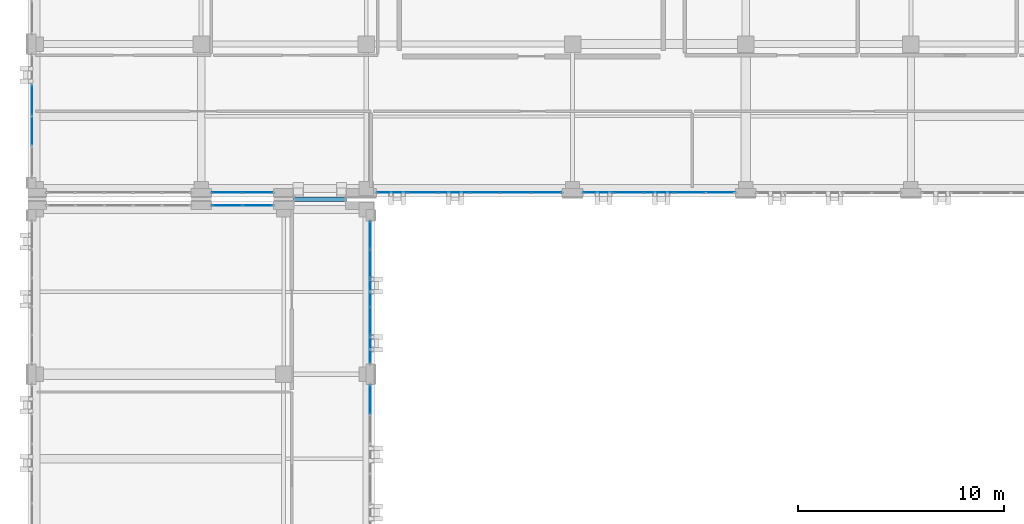
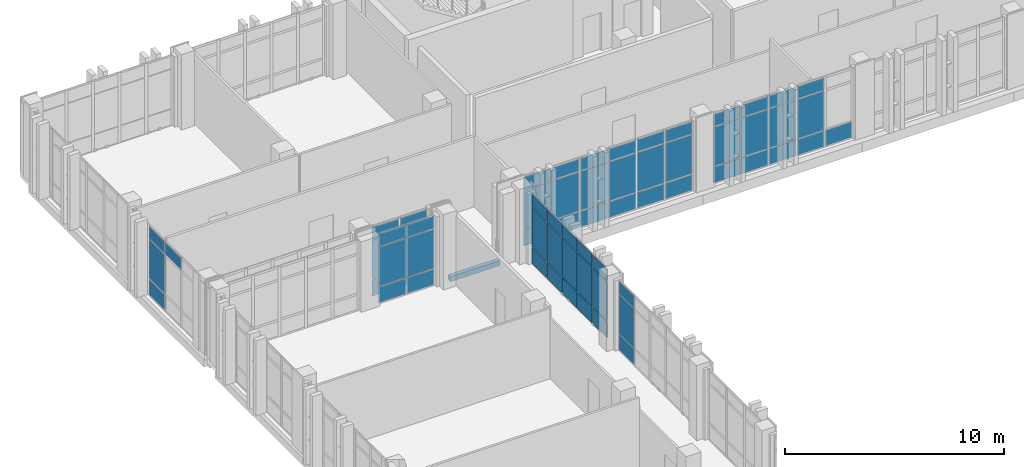
# One storey, part 122 of 158: 65 plates, 1 slab, 7 elements without a shape of their own.
"""IFC4 building model written with IfcOpenShell, lengths in metres."""

from ifc_helpers import new_model, si_unit, direction, frame, origin, origin_2d, place, context, subcontext, project, spatial, polyline, rectangle, outline, extrude, material, layer, layer_set, type_object, element, aggregate, save


model = new_model("IFC4")

# Units and contexts
model_context = context("Model", 3, precision=1e-05, world=origin(), true_north=direction((0.0, 1.0)))
body_context = subcontext(model_context, "Body", "Model", "MODEL_VIEW")
ifc_project = project(units=[si_unit("LENGTHUNIT", "METRE"), si_unit("AREAUNIT", "SQUARE_METRE"), si_unit("VOLUMEUNIT", "CUBIC_METRE"), si_unit("PLANEANGLEUNIT", "RADIAN"), si_unit("MASSUNIT", "GRAM", prefix="KILO")], contexts=[model_context])

# Site, building, storey
site_placement = place(None, origin())
site = spatial("IfcSite", under=ifc_project, at=site_placement, CompositionType="ELEMENT")
building_placement = place(site_placement, origin())
building = spatial("IfcBuilding", under=site, at=building_placement, Name="Qalavern Law Courts", CompositionType="ELEMENT")
storey_placement = place(building_placement, frame((0.0, 0.0, 18.60009765625)))
storey = spatial("IfcBuildingStorey", under=building, at=storey_placement, Name="L04", CompositionType="ELEMENT", Elevation=18.60009765625)

# Curtain wall, plates
ifc_material_1 = material(Name="Anodised aluminium and insulated glazing", Category="aluminium")
ifc_layer_1 = layer(ifc_material_1, 0.159912109375)
ifc_layer_set_1 = layer_set([ifc_layer_1], Name="Anodised aluminium and insulated glazing")
curtain_wall_type_1 = type_object("IfcCurtainWallType", Name="ENV-CW-CHAMB", PredefinedType="USERDEFINED", material=ifc_layer_set_1)
curtain_wall_1_placement = place(storey_placement, origin())
curtain_wall_1 = element("IfcCurtainWall", 1, at=curtain_wall_1_placement, inside=storey, type_object=curtain_wall_type_1, Name="V3 unitised curtain wall L04 north 1", ObjectType="UNITISED CURTAIN WALL", PredefinedType="USERDEFINED")
ifc_material_2 = material(Name="Insulated low-E acoustic glazing", Category="glass")
ifc_layer_2 = layer(ifc_material_2, 0.028076171875)
ifc_layer_set_2 = layer_set([ifc_layer_2], Name="Insulated low-E acoustic glazing")
plate_type_1 = type_object("IfcPlateType", Name="ENV-CWP-28", PredefinedType="CURTAIN_PANEL", material=ifc_layer_set_2)
plate_1_placement = place(storey_placement, frame((13.137939453125, 95.780029296875, 0.0478515625), z_axis=(0.0, 0.0, 1.0), x_axis=(-1.0, 0.0, 0.0)))
plate_1 = element("IfcPlate", 2, at=plate_1_placement, type_object=plate_type_1, Name="CW-04 panel 1.1", PredefinedType="CURTAIN_PANEL", context=body_context, shape_type="SweptSolid", body=[
    extrude(rectangle(XDim=1.427978515625, YDim=0.028076171875, at=origin_2d()), origin(), (0.0, 0.0, 1.0), 0.8779296875),
])
plate_2_placement = place(storey_placement, frame((13.137939453125, 95.780029296875, 0.97412109375), z_axis=(0.0, 0.0, 1.0), x_axis=(-1.0, 0.0, 0.0)))
plate_2 = element("IfcPlate", 3, at=plate_2_placement, type_object=plate_type_1, Name="CW-04 panel 1.2", PredefinedType="CURTAIN_PANEL", context=body_context, shape_type="SweptSolid", body=[
    extrude(rectangle(XDim=1.427978515625, YDim=0.028076171875, at=origin_2d()), origin(), (0.0, 0.0, 1.0), 2.177001953125),
])
plate_3_placement = place(storey_placement, frame((13.137939453125, 95.780029296875, 3.19873046875), z_axis=(0.0, 0.0, 1.0), x_axis=(-1.0, 0.0, 0.0)))
plate_3 = element("IfcPlate", 4, at=plate_3_placement, type_object=plate_type_1, Name="CW-04 panel 1.3", PredefinedType="CURTAIN_PANEL", context=body_context, shape_type="SweptSolid", body=[
    extrude(rectangle(XDim=1.427978515625, YDim=0.028076171875, at=origin_2d()), origin(), (0.0, 0.0, 1.0), 0.677978515625),
])
plate_4_placement = place(storey_placement, frame((11.662109375, 95.780029296875, 0.0478515625), z_axis=(0.0, 0.0, 1.0), x_axis=(-1.0, 0.0, 0.0)))
plate_4 = element("IfcPlate", 5, at=plate_4_placement, type_object=plate_type_1, Name="CW-04 panel 2.1", PredefinedType="CURTAIN_PANEL", context=body_context, shape_type="SweptSolid", body=[
    extrude(rectangle(XDim=1.427978515625, YDim=0.028076171875, at=origin_2d()), origin(), (0.0, 0.0, 1.0), 0.8779296875),
])
plate_5_placement = place(storey_placement, frame((11.662109375, 95.780029296875, 0.97412109375), z_axis=(0.0, 0.0, 1.0), x_axis=(-1.0, 0.0, 0.0)))
plate_5 = element("IfcPlate", 6, at=plate_5_placement, type_object=plate_type_1, Name="CW-04 panel 2.2", PredefinedType="CURTAIN_PANEL", context=body_context, shape_type="SweptSolid", body=[
    extrude(rectangle(XDim=1.427978515625, YDim=0.028076171875, at=origin_2d()), origin(), (0.0, 0.0, 1.0), 2.177001953125),
])
plate_6_placement = place(storey_placement, frame((11.662109375, 95.780029296875, 3.19873046875), z_axis=(0.0, 0.0, 1.0), x_axis=(-1.0, 0.0, 0.0)))
plate_6 = element("IfcPlate", 7, at=plate_6_placement, type_object=plate_type_1, Name="CW-04 panel 2.3", PredefinedType="CURTAIN_PANEL", context=body_context, shape_type="SweptSolid", body=[
    extrude(rectangle(XDim=1.427978515625, YDim=0.028076171875, at=origin_2d()), origin(), (0.0, 0.0, 1.0), 0.677978515625),
])
aggregate(curtain_wall_1, [plate_1, plate_2, plate_3, plate_4, plate_5, plate_6])

ifc_layer_3 = layer(ifc_material_1, 0.166015625)
ifc_layer_set_3 = layer_set([ifc_layer_3], Name="Anodised aluminium and insulated glazing")
curtain_wall_type_2 = type_object("IfcCurtainWallType", Name="ENV-CW-LIB", PredefinedType="USERDEFINED", material=ifc_layer_set_3)
curtain_wall_2_placement = place(storey_placement, origin())
curtain_wall_2 = element("IfcCurtainWall", 8, at=curtain_wall_2_placement, inside=storey, type_object=curtain_wall_type_2, Name="V5 unitised curtain wall L04 south 2", ObjectType="UNITISED CURTAIN WALL", PredefinedType="USERDEFINED")
plate_7_placement = place(storey_placement, frame((11.662109375, 96.39990234375, 0.0478515625), z_axis=(0.0, 0.0, 1.0), x_axis=(1.0, 0.0, 0.0)))
plate_7 = element("IfcPlate", 9, at=plate_7_placement, type_object=plate_type_1, Name="CW-05 panel 1.1", PredefinedType="CURTAIN_PANEL", context=body_context, shape_type="SweptSolid", body=[
    extrude(rectangle(XDim=1.427978515625, YDim=0.028076171875, at=origin_2d()), origin(), (0.0, 0.0, 1.0), 0.8779296875),
])
plate_8_placement = place(storey_placement, frame((11.662109375, 96.39990234375, 0.97412109375), z_axis=(0.0, 0.0, 1.0), x_axis=(1.0, 0.0, 0.0)))
plate_8 = element("IfcPlate", 10, at=plate_8_placement, type_object=plate_type_1, Name="CW-05 panel 1.2", PredefinedType="CURTAIN_PANEL", context=body_context, shape_type="SweptSolid", body=[
    extrude(rectangle(XDim=1.427978515625, YDim=0.028076171875, at=origin_2d()), origin(), (0.0, 0.0, 1.0), 2.177001953125),
])
plate_9_placement = place(storey_placement, frame((11.662109375, 96.39990234375, 3.19873046875), z_axis=(0.0, 0.0, 1.0), x_axis=(1.0, 0.0, 0.0)))
plate_9 = element("IfcPlate", 11, at=plate_9_placement, type_object=plate_type_1, Name="CW-05 panel 1.3", PredefinedType="CURTAIN_PANEL", context=body_context, shape_type="SweptSolid", body=[
    extrude(rectangle(XDim=1.427978515625, YDim=0.028076171875, at=origin_2d()), origin(), (0.0, 0.0, 1.0), 0.677978515625),
])
plate_10_placement = place(storey_placement, frame((13.137939453125, 96.39990234375, 0.0478515625), z_axis=(0.0, 0.0, 1.0), x_axis=(1.0, 0.0, 0.0)))
plate_10 = element("IfcPlate", 12, at=plate_10_placement, type_object=plate_type_1, Name="CW-05 panel 2.1", PredefinedType="CURTAIN_PANEL", context=body_context, shape_type="SweptSolid", body=[
    extrude(rectangle(XDim=1.427978515625, YDim=0.028076171875, at=origin_2d()), origin(), (0.0, 0.0, 1.0), 0.8779296875),
])
plate_11_placement = place(storey_placement, frame((13.137939453125, 96.39990234375, 0.97412109375), z_axis=(0.0, 0.0, 1.0), x_axis=(1.0, 0.0, 0.0)))
plate_11 = element("IfcPlate", 13, at=plate_11_placement, type_object=plate_type_1, Name="CW-05 panel 2.2", PredefinedType="CURTAIN_PANEL", context=body_context, shape_type="SweptSolid", body=[
    extrude(rectangle(XDim=1.427978515625, YDim=0.028076171875, at=origin_2d()), origin(), (0.0, 0.0, 1.0), 2.177001953125),
])
plate_12_placement = place(storey_placement, frame((13.137939453125, 96.39990234375, 3.19873046875), z_axis=(0.0, 0.0, 1.0), x_axis=(1.0, 0.0, 0.0)))
plate_12 = element("IfcPlate", 14, at=plate_12_placement, type_object=plate_type_1, Name="CW-05 panel 2.3", PredefinedType="CURTAIN_PANEL", context=body_context, shape_type="SweptSolid", body=[
    extrude(rectangle(XDim=1.427978515625, YDim=0.028076171875, at=origin_2d()), origin(), (0.0, 0.0, 1.0), 0.677978515625),
])
aggregate(curtain_wall_2, [plate_7, plate_8, plate_9, plate_10, plate_11, plate_12])

curtain_wall_3_placement = place(storey_placement, origin())
curtain_wall_3 = element("IfcCurtainWall", 15, at=curtain_wall_3_placement, inside=storey, type_object=curtain_wall_type_2, Name="V5 unitised curtain wall L04 south 1", ObjectType="UNITISED CURTAIN WALL", PredefinedType="USERDEFINED")
plate_13_placement = place(storey_placement, frame((19.662109375, 96.39990234375, 0.0478515625), z_axis=(0.0, 0.0, 1.0), x_axis=(1.0, 0.0, 0.0)))
plate_13 = element("IfcPlate", 16, at=plate_13_placement, type_object=plate_type_1, Name="CW-05 panel 1.1", PredefinedType="CURTAIN_PANEL", context=body_context, shape_type="SweptSolid", body=[
    extrude(rectangle(XDim=1.427978515625, YDim=0.028076171875, at=origin_2d()), origin(), (0.0, 0.0, 1.0), 0.8779296875),
])
plate_14_placement = place(storey_placement, frame((19.662109375, 96.39990234375, 0.97412109375), z_axis=(0.0, 0.0, 1.0), x_axis=(1.0, 0.0, 0.0)))
plate_14 = element("IfcPlate", 17, at=plate_14_placement, type_object=plate_type_1, Name="CW-05 panel 1.2", PredefinedType="CURTAIN_PANEL", context=body_context, shape_type="SweptSolid", body=[
    extrude(rectangle(XDim=1.427978515625, YDim=0.028076171875, at=origin_2d()), origin(), (0.0, 0.0, 1.0), 2.177001953125),
])
plate_15_placement = place(storey_placement, frame((19.662109375, 96.39990234375, 3.19873046875), z_axis=(0.0, 0.0, 1.0), x_axis=(1.0, 0.0, 0.0)))
plate_15 = element("IfcPlate", 18, at=plate_15_placement, type_object=plate_type_1, Name="CW-05 panel 1.3", PredefinedType="CURTAIN_PANEL", context=body_context, shape_type="SweptSolid", body=[
    extrude(rectangle(XDim=1.427978515625, YDim=0.028076171875, at=origin_2d()), origin(), (0.0, 0.0, 1.0), 0.677978515625),
])
plate_16_placement = place(storey_placement, frame((21.14990234375, 96.39990234375, 0.0478515625), z_axis=(0.0, 0.0, 1.0), x_axis=(1.0, 0.0, 0.0)))
plate_16 = element("IfcPlate", 19, at=plate_16_placement, type_object=plate_type_1, Name="CW-05 panel 2.1", PredefinedType="CURTAIN_PANEL", context=body_context, shape_type="SweptSolid", body=[
    extrude(rectangle(XDim=1.451904296875, YDim=0.028076171875, at=origin_2d()), origin(), (0.0, 0.0, 1.0), 0.8779296875),
])
plate_17_placement = place(storey_placement, frame((21.14990234375, 96.39990234375, 0.97412109375), z_axis=(0.0, 0.0, 1.0), x_axis=(1.0, 0.0, 0.0)))
plate_17 = element("IfcPlate", 20, at=plate_17_placement, type_object=plate_type_1, Name="CW-05 panel 2.2", PredefinedType="CURTAIN_PANEL", context=body_context, shape_type="SweptSolid", body=[
    extrude(rectangle(XDim=1.451904296875, YDim=0.028076171875, at=origin_2d()), origin(), (0.0, 0.0, 1.0), 2.177001953125),
])
plate_18_placement = place(storey_placement, frame((21.14990234375, 96.39990234375, 3.19873046875), z_axis=(0.0, 0.0, 1.0), x_axis=(1.0, 0.0, 0.0)))
plate_18 = element("IfcPlate", 21, at=plate_18_placement, type_object=plate_type_1, Name="CW-05 panel 2.3", PredefinedType="CURTAIN_PANEL", context=body_context, shape_type="SweptSolid", body=[
    extrude(rectangle(XDim=1.451904296875, YDim=0.028076171875, at=origin_2d()), origin(), (0.0, 0.0, 1.0), 0.677978515625),
])
plate_19_placement = place(storey_placement, frame((22.64990234375, 96.39990234375, 0.0478515625), z_axis=(0.0, 0.0, 1.0), x_axis=(1.0, 0.0, 0.0)))
plate_19 = element("IfcPlate", 22, at=plate_19_placement, type_object=plate_type_1, Name="CW-05 panel 3.1", PredefinedType="CURTAIN_PANEL", context=body_context, shape_type="SweptSolid", body=[
    extrude(rectangle(XDim=1.451904296875, YDim=0.028076171875, at=origin_2d()), origin(), (0.0, 0.0, 1.0), 0.8779296875),
])
plate_20_placement = place(storey_placement, frame((22.64990234375, 96.39990234375, 0.97412109375), z_axis=(0.0, 0.0, 1.0), x_axis=(1.0, 0.0, 0.0)))
plate_20 = element("IfcPlate", 23, at=plate_20_placement, type_object=plate_type_1, Name="CW-05 panel 3.2", PredefinedType="CURTAIN_PANEL", context=body_context, shape_type="SweptSolid", body=[
    extrude(rectangle(XDim=1.451904296875, YDim=0.028076171875, at=origin_2d()), origin(), (0.0, 0.0, 1.0), 2.177001953125),
])
plate_21_placement = place(storey_placement, frame((22.64990234375, 96.39990234375, 3.19873046875), z_axis=(0.0, 0.0, 1.0), x_axis=(1.0, 0.0, 0.0)))
plate_21 = element("IfcPlate", 24, at=plate_21_placement, type_object=plate_type_1, Name="CW-05 panel 3.3", PredefinedType="CURTAIN_PANEL", context=body_context, shape_type="SweptSolid", body=[
    extrude(rectangle(XDim=1.451904296875, YDim=0.028076171875, at=origin_2d()), origin(), (0.0, 0.0, 1.0), 0.677978515625),
])
plate_22_placement = place(storey_placement, frame((24.14990234375, 96.39990234375, 0.0478515625), z_axis=(0.0, 0.0, 1.0), x_axis=(1.0, 0.0, 0.0)))
plate_22 = element("IfcPlate", 25, at=plate_22_placement, type_object=plate_type_1, Name="CW-05 panel 4.1", PredefinedType="CURTAIN_PANEL", context=body_context, shape_type="SweptSolid", body=[
    extrude(rectangle(XDim=1.451904296875, YDim=0.028076171875, at=origin_2d()), origin(), (0.0, 0.0, 1.0), 0.8779296875),
])
plate_23_placement = place(storey_placement, frame((24.14990234375, 96.39990234375, 0.97412109375), z_axis=(0.0, 0.0, 1.0), x_axis=(1.0, 0.0, 0.0)))
plate_23 = element("IfcPlate", 26, at=plate_23_placement, type_object=plate_type_1, Name="CW-05 panel 4.2", PredefinedType="CURTAIN_PANEL", context=body_context, shape_type="SweptSolid", body=[
    extrude(rectangle(XDim=1.451904296875, YDim=0.028076171875, at=origin_2d()), origin(), (0.0, 0.0, 1.0), 2.177001953125),
])
plate_24_placement = place(storey_placement, frame((24.14990234375, 96.39990234375, 3.19873046875), z_axis=(0.0, 0.0, 1.0), x_axis=(1.0, 0.0, 0.0)))
plate_24 = element("IfcPlate", 27, at=plate_24_placement, type_object=plate_type_1, Name="CW-05 panel 4.3", PredefinedType="CURTAIN_PANEL", context=body_context, shape_type="SweptSolid", body=[
    extrude(rectangle(XDim=1.451904296875, YDim=0.028076171875, at=origin_2d()), origin(), (0.0, 0.0, 1.0), 0.677978515625),
])
plate_25_placement = place(storey_placement, frame((25.64990234375, 96.39990234375, 0.0478515625), z_axis=(0.0, 0.0, 1.0), x_axis=(1.0, 0.0, 0.0)))
plate_25 = element("IfcPlate", 28, at=plate_25_placement, type_object=plate_type_1, Name="CW-05 panel 5.1", PredefinedType="CURTAIN_PANEL", context=body_context, shape_type="SweptSolid", body=[
    extrude(rectangle(XDim=1.451904296875, YDim=0.028076171875, at=origin_2d()), origin(), (0.0, 0.0, 1.0), 0.8779296875),
])
plate_26_placement = place(storey_placement, frame((25.64990234375, 96.39990234375, 0.97412109375), z_axis=(0.0, 0.0, 1.0), x_axis=(1.0, 0.0, 0.0)))
plate_26 = element("IfcPlate", 29, at=plate_26_placement, type_object=plate_type_1, Name="CW-05 panel 5.2", PredefinedType="CURTAIN_PANEL", context=body_context, shape_type="SweptSolid", body=[
    extrude(rectangle(XDim=1.451904296875, YDim=0.028076171875, at=origin_2d()), origin(), (0.0, 0.0, 1.0), 2.177001953125),
])
plate_27_placement = place(storey_placement, frame((25.64990234375, 96.39990234375, 3.19873046875), z_axis=(0.0, 0.0, 1.0), x_axis=(1.0, 0.0, 0.0)))
plate_27 = element("IfcPlate", 30, at=plate_27_placement, type_object=plate_type_1, Name="CW-05 panel 5.3", PredefinedType="CURTAIN_PANEL", context=body_context, shape_type="SweptSolid", body=[
    extrude(rectangle(XDim=1.451904296875, YDim=0.028076171875, at=origin_2d()), origin(), (0.0, 0.0, 1.0), 0.677978515625),
])
plate_28_placement = place(storey_placement, frame((27.137939453125, 96.39990234375, 0.0478515625), z_axis=(0.0, 0.0, 1.0), x_axis=(1.0, 0.0, 0.0)))
plate_28 = element("IfcPlate", 31, at=plate_28_placement, type_object=plate_type_1, Name="CW-05 panel 6.1", PredefinedType="CURTAIN_PANEL", context=body_context, shape_type="SweptSolid", body=[
    extrude(rectangle(XDim=1.427978515625, YDim=0.028076171875, at=origin_2d()), origin(), (0.0, 0.0, 1.0), 0.8779296875),
])
plate_29_placement = place(storey_placement, frame((27.137939453125, 96.39990234375, 0.97412109375), z_axis=(0.0, 0.0, 1.0), x_axis=(1.0, 0.0, 0.0)))
plate_29 = element("IfcPlate", 32, at=plate_29_placement, type_object=plate_type_1, Name="CW-05 panel 6.2", PredefinedType="CURTAIN_PANEL", context=body_context, shape_type="SweptSolid", body=[
    extrude(rectangle(XDim=1.427978515625, YDim=0.028076171875, at=origin_2d()), origin(), (0.0, 0.0, 1.0), 2.177001953125),
])
plate_30_placement = place(storey_placement, frame((27.137939453125, 96.39990234375, 3.19873046875), z_axis=(0.0, 0.0, 1.0), x_axis=(1.0, 0.0, 0.0)))
plate_30 = element("IfcPlate", 33, at=plate_30_placement, type_object=plate_type_1, Name="CW-05 panel 6.3", PredefinedType="CURTAIN_PANEL", context=body_context, shape_type="SweptSolid", body=[
    extrude(rectangle(XDim=1.427978515625, YDim=0.028076171875, at=origin_2d()), origin(), (0.0, 0.0, 1.0), 0.677978515625),
])
aggregate(curtain_wall_3, [plate_13, plate_14, plate_15, plate_16, plate_17, plate_18, plate_19, plate_20, plate_21, plate_22, plate_23, plate_24, plate_25, plate_26, plate_27, plate_28, plate_29, plate_30])

curtain_wall_4_placement = place(storey_placement, origin())
curtain_wall_4 = element("IfcCurtainWall", 34, at=curtain_wall_4_placement, inside=storey, type_object=curtain_wall_type_2, Name="V5 unitised curtain wall L04 west 2", ObjectType="UNITISED CURTAIN WALL", PredefinedType="USERDEFINED")
plate_31_placement = place(storey_placement, frame((2.199951171875, 100.866943359375, 0.0478515625), z_axis=(0.0, 0.0, 1.0), x_axis=(0.0, -1.0, 0.0)))
plate_31 = element("IfcPlate", 35, at=plate_31_placement, type_object=plate_type_1, Name="CW-05 panel 2.1", PredefinedType="CURTAIN_PANEL", context=body_context, shape_type="SweptSolid", body=[
    extrude(rectangle(XDim=1.440673828125, YDim=0.028076171875, at=origin_2d()), origin(), (0.0, 0.0, 1.0), 0.8779296875),
])
plate_32_placement = place(storey_placement, frame((2.199951171875, 100.866943359375, 0.97412109375), z_axis=(0.0, 0.0, 1.0), x_axis=(0.0, -1.0, 0.0)))
plate_32 = element("IfcPlate", 36, at=plate_32_placement, type_object=plate_type_1, Name="CW-05 panel 2.2", PredefinedType="CURTAIN_PANEL", context=body_context, shape_type="SweptSolid", body=[
    extrude(rectangle(XDim=1.440673828125, YDim=0.028076171875, at=origin_2d()), origin(), (0.0, 0.0, 1.0), 2.177001953125),
])
plate_33_placement = place(storey_placement, frame((2.199951171875, 100.866943359375, 3.19873046875), z_axis=(0.0, 0.0, 1.0), x_axis=(0.0, -1.0, 0.0)))
plate_33 = element("IfcPlate", 37, at=plate_33_placement, type_object=plate_type_1, Name="CW-05 panel 2.3", PredefinedType="CURTAIN_PANEL", context=body_context, shape_type="SweptSolid", body=[
    extrude(rectangle(XDim=1.440673828125, YDim=0.028076171875, at=origin_2d()), origin(), (0.0, 0.0, 1.0), 0.677978515625),
])
plate_34_placement = place(storey_placement, frame((2.199951171875, 99.378173828125, 3.19873046875), z_axis=(0.0, 0.0, 1.0), x_axis=(0.0, -1.0, 0.0)))
plate_34 = element("IfcPlate", 38, at=plate_34_placement, type_object=plate_type_1, Name="CW-05 panel 3.3", PredefinedType="CURTAIN_PANEL", context=body_context, shape_type="SweptSolid", body=[
    extrude(rectangle(XDim=1.440673828125, YDim=0.028076171875, at=origin_2d()), origin(), (0.0, 0.0, 1.0), 0.677978515625),
])
aggregate(curtain_wall_4, [plate_31, plate_32, plate_33, plate_34])

curtain_wall_5_placement = place(storey_placement, origin())
curtain_wall_5 = element("IfcCurtainWall", 39, at=curtain_wall_5_placement, inside=storey, type_object=curtain_wall_type_2, Name="V5 unitised curtain wall L04 south 2", ObjectType="UNITISED CURTAIN WALL", PredefinedType="USERDEFINED")
ifc_layer_4 = layer(ifc_material_2, 0.031982421875)
ifc_layer_set_4 = layer_set([ifc_layer_4], Name="Insulated low-E acoustic glazing")
plate_type_2 = type_object("IfcPlateType", Name="ENV-CWP-32", PredefinedType="CURTAIN_PANEL", material=ifc_layer_set_4)
plate_35_placement = place(storey_placement, frame((29.652099609375, 96.39990234375, 0.0478515625), z_axis=(0.0, 0.0, 1.0), x_axis=(1.0, 0.0, 0.0)))
plate_35 = element("IfcPlate", 40, at=plate_35_placement, type_object=plate_type_2, Name="CW-05 panel 1.1", PredefinedType="CURTAIN_PANEL", context=body_context, shape_type="SweptSolid", body=[
    extrude(rectangle(XDim=1.407958984375, YDim=0.031982421875, at=origin_2d()), origin(), (0.0, 0.0, 1.0), 0.8779296875),
])
plate_36_placement = place(storey_placement, frame((29.652099609375, 96.39990234375, 0.97412109375), z_axis=(0.0, 0.0, 1.0), x_axis=(1.0, 0.0, 0.0)))
plate_36 = element("IfcPlate", 41, at=plate_36_placement, type_object=plate_type_2, Name="CW-05 panel 1.2", PredefinedType="CURTAIN_PANEL", context=body_context, shape_type="SweptSolid", body=[
    extrude(rectangle(XDim=1.407958984375, YDim=0.031982421875, at=origin_2d()), origin(), (0.0, 0.0, 1.0), 2.177001953125),
])
plate_37_placement = place(storey_placement, frame((29.652099609375, 96.39990234375, 3.19873046875), z_axis=(0.0, 0.0, 1.0), x_axis=(1.0, 0.0, 0.0)))
plate_37 = element("IfcPlate", 42, at=plate_37_placement, type_object=plate_type_2, Name="CW-05 panel 1.3", PredefinedType="CURTAIN_PANEL", context=body_context, shape_type="SweptSolid", body=[
    extrude(rectangle(XDim=1.407958984375, YDim=0.031982421875, at=origin_2d()), origin(), (0.0, 0.0, 1.0), 0.677978515625),
])
plate_38_placement = place(storey_placement, frame((31.1201171875, 96.39990234375, 0.0478515625), z_axis=(0.0, 0.0, 1.0), x_axis=(1.0, 0.0, 0.0)))
plate_38 = element("IfcPlate", 43, at=plate_38_placement, type_object=plate_type_2, Name="CW-05 panel 2.1", PredefinedType="CURTAIN_PANEL", context=body_context, shape_type="SweptSolid", body=[
    extrude(rectangle(XDim=1.431884765625, YDim=0.031982421875, at=origin_2d()), origin(), (0.0, 0.0, 1.0), 0.8779296875),
])
plate_39_placement = place(storey_placement, frame((31.1201171875, 96.39990234375, 0.97412109375), z_axis=(0.0, 0.0, 1.0), x_axis=(1.0, 0.0, 0.0)))
plate_39 = element("IfcPlate", 44, at=plate_39_placement, type_object=plate_type_2, Name="CW-05 panel 2.2", PredefinedType="CURTAIN_PANEL", context=body_context, shape_type="SweptSolid", body=[
    extrude(rectangle(XDim=1.431884765625, YDim=0.031982421875, at=origin_2d()), origin(), (0.0, 0.0, 1.0), 2.177001953125),
])
plate_40_placement = place(storey_placement, frame((31.1201171875, 96.39990234375, 3.19873046875), z_axis=(0.0, 0.0, 1.0), x_axis=(1.0, 0.0, 0.0)))
plate_40 = element("IfcPlate", 45, at=plate_40_placement, type_object=plate_type_2, Name="CW-05 panel 2.3", PredefinedType="CURTAIN_PANEL", context=body_context, shape_type="SweptSolid", body=[
    extrude(rectangle(XDim=1.431884765625, YDim=0.031982421875, at=origin_2d()), origin(), (0.0, 0.0, 1.0), 0.677978515625),
])
plate_41_placement = place(storey_placement, frame((32.60009765625, 96.39990234375, 0.0478515625), z_axis=(0.0, 0.0, 1.0), x_axis=(1.0, 0.0, 0.0)))
plate_41 = element("IfcPlate", 46, at=plate_41_placement, type_object=plate_type_2, Name="CW-05 panel 3.1", PredefinedType="CURTAIN_PANEL", context=body_context, shape_type="SweptSolid", body=[
    extrude(rectangle(XDim=1.431884765625, YDim=0.031982421875, at=origin_2d()), origin(), (0.0, 0.0, 1.0), 0.8779296875),
])
plate_42_placement = place(storey_placement, frame((32.60009765625, 96.39990234375, 0.97412109375), z_axis=(0.0, 0.0, 1.0), x_axis=(1.0, 0.0, 0.0)))
plate_42 = element("IfcPlate", 47, at=plate_42_placement, type_object=plate_type_2, Name="CW-05 panel 3.2", PredefinedType="CURTAIN_PANEL", context=body_context, shape_type="SweptSolid", body=[
    extrude(rectangle(XDim=1.431884765625, YDim=0.031982421875, at=origin_2d()), origin(), (0.0, 0.0, 1.0), 2.177001953125),
])
plate_43_placement = place(storey_placement, frame((32.60009765625, 96.39990234375, 3.19873046875), z_axis=(0.0, 0.0, 1.0), x_axis=(1.0, 0.0, 0.0)))
plate_43 = element("IfcPlate", 48, at=plate_43_placement, type_object=plate_type_2, Name="CW-05 panel 3.3", PredefinedType="CURTAIN_PANEL", context=body_context, shape_type="SweptSolid", body=[
    extrude(rectangle(XDim=1.431884765625, YDim=0.031982421875, at=origin_2d()), origin(), (0.0, 0.0, 1.0), 0.677978515625),
])
plate_44_placement = place(storey_placement, frame((34.080078125, 96.39990234375, 0.0478515625), z_axis=(0.0, 0.0, 1.0), x_axis=(1.0, 0.0, 0.0)))
plate_44 = element("IfcPlate", 49, at=plate_44_placement, type_object=plate_type_2, Name="CW-05 panel 4.1", PredefinedType="CURTAIN_PANEL", context=body_context, shape_type="SweptSolid", body=[
    extrude(rectangle(XDim=1.431884765625, YDim=0.031982421875, at=origin_2d()), origin(), (0.0, 0.0, 1.0), 0.8779296875),
])
plate_45_placement = place(storey_placement, frame((34.080078125, 96.39990234375, 0.97412109375), z_axis=(0.0, 0.0, 1.0), x_axis=(1.0, 0.0, 0.0)))
plate_45 = element("IfcPlate", 50, at=plate_45_placement, type_object=plate_type_2, Name="CW-05 panel 4.2", PredefinedType="CURTAIN_PANEL", context=body_context, shape_type="SweptSolid", body=[
    extrude(rectangle(XDim=1.431884765625, YDim=0.031982421875, at=origin_2d()), origin(), (0.0, 0.0, 1.0), 2.177001953125),
])
plate_46_placement = place(storey_placement, frame((34.080078125, 96.39990234375, 3.19873046875), z_axis=(0.0, 0.0, 1.0), x_axis=(1.0, 0.0, 0.0)))
plate_46 = element("IfcPlate", 51, at=plate_46_placement, type_object=plate_type_2, Name="CW-05 panel 4.3", PredefinedType="CURTAIN_PANEL", context=body_context, shape_type="SweptSolid", body=[
    extrude(rectangle(XDim=1.431884765625, YDim=0.031982421875, at=origin_2d()), origin(), (0.0, 0.0, 1.0), 0.677978515625),
])
plate_47_placement = place(storey_placement, frame((35.548095703125, 96.39990234375, 0.0478515625), z_axis=(0.0, 0.0, 1.0), x_axis=(1.0, 0.0, 0.0)))
plate_47 = element("IfcPlate", 52, at=plate_47_placement, type_object=plate_type_2, Name="CW-05 panel 5.1", PredefinedType="CURTAIN_PANEL", context=body_context, shape_type="SweptSolid", body=[
    extrude(rectangle(XDim=1.407958984375, YDim=0.031982421875, at=origin_2d()), origin(), (0.0, 0.0, 1.0), 0.8779296875),
])
aggregate(curtain_wall_5, [plate_35, plate_36, plate_37, plate_38, plate_39, plate_40, plate_41, plate_42, plate_43, plate_44, plate_45, plate_46, plate_47])

curtain_wall_6_placement = place(storey_placement, origin())
curtain_wall_6 = element("IfcCurtainWall", 53, at=curtain_wall_6_placement, inside=storey, type_object=curtain_wall_type_1, Name="V3 unitised curtain wall L04 east 6", ObjectType="UNITISED CURTAIN WALL", PredefinedType="USERDEFINED")
ifc_layer_5 = layer(ifc_material_2, 0.0439453125)
ifc_layer_set_5 = layer_set([ifc_layer_5], Name="Insulated low-E acoustic glazing")
plate_type_3 = type_object("IfcPlateType", Name="ENV-CWP-44", PredefinedType="CURTAIN_PANEL", material=ifc_layer_set_5)
plate_48_placement = place(storey_placement, frame((18.60009765625, 86.367919921875, 0.0478515625), z_axis=(0.0, 0.0, 1.0), x_axis=(0.0, 1.0, 0.0)))
plate_48 = element("IfcPlate", 54, at=plate_48_placement, type_object=plate_type_3, Name="CW-04 panel 5.1", PredefinedType="CURTAIN_PANEL", context=body_context, shape_type="SweptSolid", body=[
    extrude(rectangle(XDim=1.367919921875, YDim=0.0439453125, at=origin_2d()), origin(), (0.0, 0.0, 1.0), 0.8779296875),
])
plate_49_placement = place(storey_placement, frame((18.60009765625, 86.367919921875, 0.97412109375), z_axis=(0.0, 0.0, 1.0), x_axis=(0.0, 1.0, 0.0)))
plate_49 = element("IfcPlate", 55, at=plate_49_placement, type_object=plate_type_3, Name="CW-04 panel 5.2", PredefinedType="CURTAIN_PANEL", context=body_context, shape_type="SweptSolid", body=[
    extrude(rectangle(XDim=1.367919921875, YDim=0.0439453125, at=origin_2d()), origin(), (0.0, 0.0, 1.0), 2.177001953125),
])
plate_50_placement = place(storey_placement, frame((18.60009765625, 86.367919921875, 3.19873046875), z_axis=(0.0, 0.0, 1.0), x_axis=(0.0, 1.0, 0.0)))
plate_50 = element("IfcPlate", 56, at=plate_50_placement, type_object=plate_type_3, Name="CW-04 panel 5.3", PredefinedType="CURTAIN_PANEL", context=body_context, shape_type="SweptSolid", body=[
    extrude(rectangle(XDim=1.367919921875, YDim=0.0439453125, at=origin_2d()), origin(), (0.0, 0.0, 1.0), 0.677978515625),
])
aggregate(curtain_wall_6, [plate_48, plate_49, plate_50])

curtain_wall_7_placement = place(storey_placement, origin())
curtain_wall_7 = element("IfcCurtainWall", 57, at=curtain_wall_7_placement, inside=storey, type_object=curtain_wall_type_1, Name="V3 unitised curtain wall L04 east 7", ObjectType="UNITISED CURTAIN WALL", PredefinedType="USERDEFINED")
ifc_layer_6 = layer(ifc_material_2, 0.048095703125)
ifc_layer_set_6 = layer_set([ifc_layer_6], Name="Insulated low-E acoustic glazing")
plate_type_4 = type_object("IfcPlateType", Name="ENV-CWP-48", PredefinedType="CURTAIN_PANEL", material=ifc_layer_set_6)
plate_51_placement = place(storey_placement, frame((18.60009765625, 88.805419921875, 0.0478515625), z_axis=(0.0, 0.0, 1.0), x_axis=(0.0, 1.0, 0.0)))
plate_51 = element("IfcPlate", 58, at=plate_51_placement, type_object=plate_type_4, Name="CW-04 panel 1.1", PredefinedType="CURTAIN_PANEL", context=body_context, shape_type="SweptSolid", body=[
    extrude(rectangle(XDim=1.31494140625, YDim=0.048095703125, at=origin_2d()), origin(), (0.0, 0.0, 1.0), 0.8779296875),
])
plate_52_placement = place(storey_placement, frame((18.60009765625, 88.805419921875, 0.97412109375), z_axis=(0.0, 0.0, 1.0), x_axis=(0.0, 1.0, 0.0)))
plate_52 = element("IfcPlate", 59, at=plate_52_placement, type_object=plate_type_4, Name="CW-04 panel 1.2", PredefinedType="CURTAIN_PANEL", context=body_context, shape_type="SweptSolid", body=[
    extrude(rectangle(XDim=1.31494140625, YDim=0.048095703125, at=origin_2d()), origin(), (0.0, 0.0, 1.0), 2.177001953125),
])
plate_53_placement = place(storey_placement, frame((18.60009765625, 88.805419921875, 3.19873046875), z_axis=(0.0, 0.0, 1.0), x_axis=(0.0, 1.0, 0.0)))
plate_53 = element("IfcPlate", 60, at=plate_53_placement, type_object=plate_type_4, Name="CW-04 panel 1.3", PredefinedType="CURTAIN_PANEL", context=body_context, shape_type="SweptSolid", body=[
    extrude(rectangle(XDim=1.31494140625, YDim=0.048095703125, at=origin_2d()), origin(), (0.0, 0.0, 1.0), 0.677978515625),
])
plate_54_placement = place(storey_placement, frame((18.60009765625, 90.180419921875, 0.0478515625), z_axis=(0.0, 0.0, 1.0), x_axis=(0.0, 1.0, 0.0)))
plate_54 = element("IfcPlate", 61, at=plate_54_placement, type_object=plate_type_4, Name="CW-04 panel 2.1", PredefinedType="CURTAIN_PANEL", context=body_context, shape_type="SweptSolid", body=[
    extrude(rectangle(XDim=1.339111328125, YDim=0.048095703125, at=origin_2d()), origin(), (0.0, 0.0, 1.0), 0.8779296875),
])
plate_55_placement = place(storey_placement, frame((18.60009765625, 90.180419921875, 0.97412109375), z_axis=(0.0, 0.0, 1.0), x_axis=(0.0, 1.0, 0.0)))
plate_55 = element("IfcPlate", 62, at=plate_55_placement, type_object=plate_type_4, Name="CW-04 panel 2.2", PredefinedType="CURTAIN_PANEL", context=body_context, shape_type="SweptSolid", body=[
    extrude(rectangle(XDim=1.339111328125, YDim=0.048095703125, at=origin_2d()), origin(), (0.0, 0.0, 1.0), 2.177001953125),
])
plate_56_placement = place(storey_placement, frame((18.60009765625, 90.180419921875, 3.19873046875), z_axis=(0.0, 0.0, 1.0), x_axis=(0.0, 1.0, 0.0)))
plate_56 = element("IfcPlate", 63, at=plate_56_placement, type_object=plate_type_4, Name="CW-04 panel 2.3", PredefinedType="CURTAIN_PANEL", context=body_context, shape_type="SweptSolid", body=[
    extrude(rectangle(XDim=1.339111328125, YDim=0.048095703125, at=origin_2d()), origin(), (0.0, 0.0, 1.0), 0.677978515625),
])
plate_57_placement = place(storey_placement, frame((18.60009765625, 91.5673828125, 0.0478515625), z_axis=(0.0, 0.0, 1.0), x_axis=(0.0, 1.0, 0.0)))
plate_57 = element("IfcPlate", 64, at=plate_57_placement, type_object=plate_type_4, Name="CW-04 panel 3.1", PredefinedType="CURTAIN_PANEL", context=body_context, shape_type="SweptSolid", body=[
    extrude(rectangle(XDim=1.339111328125, YDim=0.048095703125, at=origin_2d()), origin(), (0.0, 0.0, 1.0), 0.8779296875),
])
plate_58_placement = place(storey_placement, frame((18.60009765625, 91.5673828125, 0.97412109375), z_axis=(0.0, 0.0, 1.0), x_axis=(0.0, 1.0, 0.0)))
plate_58 = element("IfcPlate", 65, at=plate_58_placement, type_object=plate_type_4, Name="CW-04 panel 3.2", PredefinedType="CURTAIN_PANEL", context=body_context, shape_type="SweptSolid", body=[
    extrude(rectangle(XDim=1.339111328125, YDim=0.048095703125, at=origin_2d()), origin(), (0.0, 0.0, 1.0), 2.177001953125),
])
plate_59_placement = place(storey_placement, frame((18.60009765625, 91.5673828125, 3.19873046875), z_axis=(0.0, 0.0, 1.0), x_axis=(0.0, 1.0, 0.0)))
plate_59 = element("IfcPlate", 66, at=plate_59_placement, type_object=plate_type_4, Name="CW-04 panel 3.3", PredefinedType="CURTAIN_PANEL", context=body_context, shape_type="SweptSolid", body=[
    extrude(rectangle(XDim=1.339111328125, YDim=0.048095703125, at=origin_2d()), origin(), (0.0, 0.0, 1.0), 0.677978515625),
])
plate_60_placement = place(storey_placement, frame((18.60009765625, 92.95458984375, 0.0478515625), z_axis=(0.0, 0.0, 1.0), x_axis=(0.0, 1.0, 0.0)))
plate_60 = element("IfcPlate", 67, at=plate_60_placement, type_object=plate_type_4, Name="CW-04 panel 4.1", PredefinedType="CURTAIN_PANEL", context=body_context, shape_type="SweptSolid", body=[
    extrude(rectangle(XDim=1.339111328125, YDim=0.048095703125, at=origin_2d()), origin(), (0.0, 0.0, 1.0), 0.8779296875),
])
plate_61_placement = place(storey_placement, frame((18.60009765625, 92.95458984375, 0.97412109375), z_axis=(0.0, 0.0, 1.0), x_axis=(0.0, 1.0, 0.0)))
plate_61 = element("IfcPlate", 68, at=plate_61_placement, type_object=plate_type_4, Name="CW-04 panel 4.2", PredefinedType="CURTAIN_PANEL", context=body_context, shape_type="SweptSolid", body=[
    extrude(rectangle(XDim=1.339111328125, YDim=0.048095703125, at=origin_2d()), origin(), (0.0, 0.0, 1.0), 2.177001953125),
])
plate_62_placement = place(storey_placement, frame((18.60009765625, 92.95458984375, 3.19873046875), z_axis=(0.0, 0.0, 1.0), x_axis=(0.0, 1.0, 0.0)))
plate_62 = element("IfcPlate", 69, at=plate_62_placement, type_object=plate_type_4, Name="CW-04 panel 4.3", PredefinedType="CURTAIN_PANEL", context=body_context, shape_type="SweptSolid", body=[
    extrude(rectangle(XDim=1.339111328125, YDim=0.048095703125, at=origin_2d()), origin(), (0.0, 0.0, 1.0), 0.677978515625),
])
plate_63_placement = place(storey_placement, frame((18.60009765625, 94.32958984375, 0.0478515625), z_axis=(0.0, 0.0, 1.0), x_axis=(0.0, 1.0, 0.0)))
plate_63 = element("IfcPlate", 70, at=plate_63_placement, type_object=plate_type_4, Name="CW-04 panel 5.1", PredefinedType="CURTAIN_PANEL", context=body_context, shape_type="SweptSolid", body=[
    extrude(rectangle(XDim=1.31494140625, YDim=0.048095703125, at=origin_2d()), origin(), (0.0, 0.0, 1.0), 0.8779296875),
])
plate_64_placement = place(storey_placement, frame((18.60009765625, 94.32958984375, 0.97412109375), z_axis=(0.0, 0.0, 1.0), x_axis=(0.0, 1.0, 0.0)))
plate_64 = element("IfcPlate", 71, at=plate_64_placement, type_object=plate_type_4, Name="CW-04 panel 5.2", PredefinedType="CURTAIN_PANEL", context=body_context, shape_type="SweptSolid", body=[
    extrude(rectangle(XDim=1.31494140625, YDim=0.048095703125, at=origin_2d()), origin(), (0.0, 0.0, 1.0), 2.177001953125),
])
plate_65_placement = place(storey_placement, frame((18.60009765625, 94.32958984375, 3.19873046875), z_axis=(0.0, 0.0, 1.0), x_axis=(0.0, 1.0, 0.0)))
plate_65 = element("IfcPlate", 72, at=plate_65_placement, type_object=plate_type_4, Name="CW-04 panel 5.3", PredefinedType="CURTAIN_PANEL", context=body_context, shape_type="SweptSolid", body=[
    extrude(rectangle(XDim=1.31494140625, YDim=0.048095703125, at=origin_2d()), origin(), (0.0, 0.0, 1.0), 0.677978515625),
])
aggregate(curtain_wall_7, [plate_51, plate_52, plate_53, plate_54, plate_55, plate_56, plate_57, plate_58, plate_59, plate_60, plate_61, plate_62, plate_63, plate_64, plate_65])

# Slab
ifc_material_3 = material(Name="Concrete C35/45", Category="concrete")
ifc_layer_7 = layer(ifc_material_3, 0.280029296875)
ifc_layer_set_7 = layer_set([ifc_layer_7], Name="Concrete C35/45")
slab_type = type_object("IfcSlabType", Name="STR-SLB-L04-280", PredefinedType="FLOOR", material=ifc_layer_set_7)
slab_placement = place(storey_placement, frame((0.0, 0.0, -0.280029296875)))
element("IfcSlab", 73, at=slab_placement, inside=storey, type_object=slab_type, Name="Bridge BR-V3-V5 deck slab L04", PredefinedType="FLOOR", context=body_context, shape_type="SweptSolid", body=[
    extrude(outline(polyline([(14.85009765625, 95.97998046875), (17.449951171875, 95.97998046875), (17.449951171875, 96.199951171875), (14.85009765625, 96.199951171875), (14.85009765625, 95.97998046875)])), origin(), (0.0, 0.0, 1.0), 0.280029296875),
])

save(model, "model.ifc")
